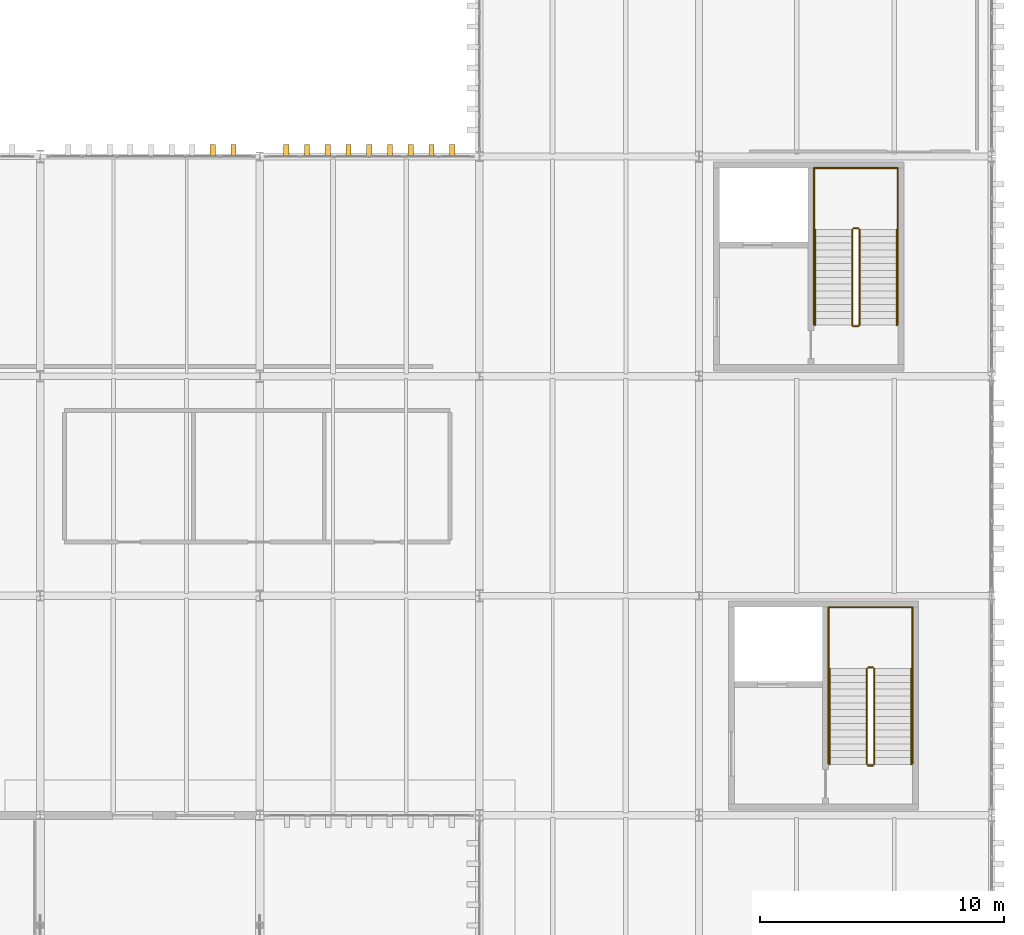
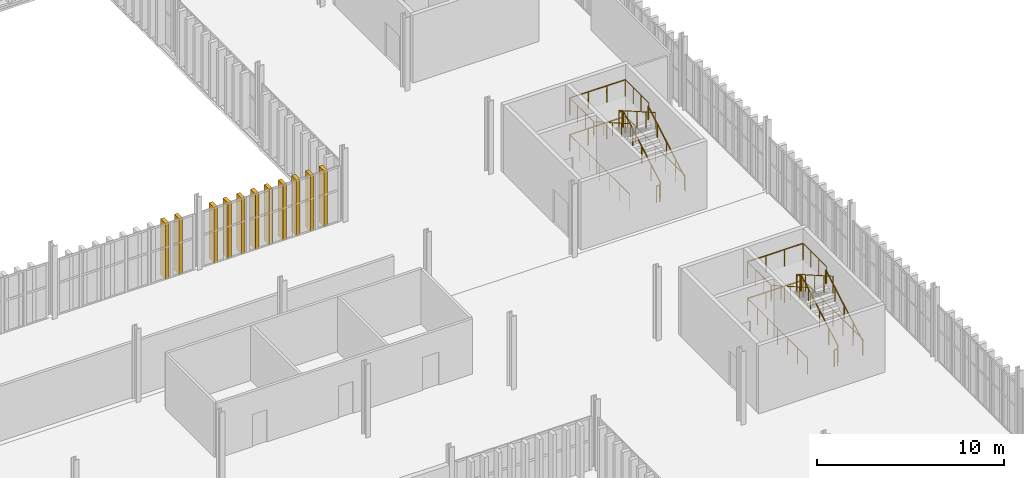
# One storey, part 190 of 196: 24 railings, 11 shading devices.
"""IFC4 building model written with IfcOpenShell, lengths in metres."""

import ifcopenshell
import ifcopenshell.guid

model = None  # the IFC model being written
_history = None  # IfcOwnerHistory: only IFC2X3 demands one
_inside = {}  # id of a spatial element -> (the spatial element, [elements in it])
_under = {}  # id of a project, library or spatial element -> (it, [spatial elements below it])
_declared = {}  # id of a project -> (the project, [libraries it declares])
_typed = {}  # id of a type object -> (the type object, [elements of that type])
_made_of = {}  # id of a material, layer set ... -> (it, [elements and type objects made of it])


def new_model(schema):
    """Start an empty IFC model of exactly this schema.

    Asked for "IFC4X3", IfcOpenShell would pick the latest addendum, in which some entities
    have other attributes; the version numbers below select the first issue.
    IFC2X3 requires an IfcOwnerHistory on every rooted entity: one is made here for all.
    """
    global model, _history
    if schema == "IFC4X3":
        model = ifcopenshell.file(schema_version=(4, 3, 0, 0))
    else:
        model = ifcopenshell.file(schema=schema)
    _inside.clear()
    _under.clear()
    _declared.clear()
    _typed.clear()
    _made_of.clear()
    _history = None
    if model.schema == "IFC2X3":
        org = make("IfcOrganization", Name="unknown")
        user = make(
            "IfcPersonAndOrganization",
            ThePerson=make("IfcPerson", FamilyName="unknown"),
            TheOrganization=org,
        )
        app = make(
            "IfcApplication",
            ApplicationDeveloper=org,
            Version="unknown",
            ApplicationFullName="unknown",
            ApplicationIdentifier="unknown",
        )
        _history = make(
            "IfcOwnerHistory",
            OwningUser=user,
            OwningApplication=app,
            ChangeAction="ADDED",
            CreationDate=0,
        )
    return model


def make(cls, **values):
    """One entity of the class cls with the attributes given. An attribute that is None is left unset."""
    return model.create_entity(
        cls, **{name: value for name, value in values.items() if value is not None}
    )


def rooted(cls, **values):
    """An entity with a GlobalId (a new one), such as an element, a storey or a relation."""
    return make(cls, GlobalId=ifcopenshell.guid.new(), OwnerHistory=_history, **values)


def si_unit(unit_type, name, prefix=None):
    """IfcSIUnit, for example si_unit("LENGTHUNIT", "METRE", prefix="MILLI")."""
    return make("IfcSIUnit", UnitType=unit_type, Prefix=prefix, Name=name)


def assignment(units):
    """IfcUnitAssignment: the units of a project."""
    return None if units is None else make("IfcUnitAssignment", Units=units)


def point(xyz):
    """IfcCartesianPoint."""
    return None if xyz is None else make("IfcCartesianPoint", Coordinates=xyz)


def direction(xyz):
    """IfcDirection."""
    return None if xyz is None else make("IfcDirection", DirectionRatios=xyz)


def frame(location, z_axis=None, x_axis=None):
    """IfcAxis2Placement3D, a coordinate frame: its origin and axes. An axis left out is left unset."""
    return make(
        "IfcAxis2Placement3D",
        Location=point(location),
        Axis=direction(z_axis),
        RefDirection=direction(x_axis),
    )


def frame_2d(location, x_axis=None):
    """IfcAxis2Placement2D, a coordinate frame in the plane: its origin and x axis."""
    return make(
        "IfcAxis2Placement2D", Location=point(location), RefDirection=direction(x_axis)
    )


def origin():
    """The frame at (0, 0, 0) with its axes left unset."""
    return frame((0.0, 0.0, 0.0))


def origin_2d():
    """The frame at (0, 0) in the plane with its x axis left unset."""
    return frame_2d((0.0, 0.0))


def place(relative_to, where):
    """IfcLocalPlacement: puts the frame where relative to a parent placement (None: the world)."""
    return make(
        "IfcLocalPlacement", PlacementRelTo=relative_to, RelativePlacement=where
    )


def context(
    kind, dimensions, precision=None, world=None, true_north=None, identifier=None
):
    """IfcGeometricRepresentationContext, for example the 3D "Model" context."""
    return make(
        "IfcGeometricRepresentationContext",
        ContextIdentifier=identifier,
        ContextType=kind,
        CoordinateSpaceDimension=dimensions,
        Precision=precision,
        WorldCoordinateSystem=world,
        TrueNorth=true_north,
    )


def subcontext(parent, identifier, kind, view, scale=None):
    """IfcGeometricRepresentationSubContext, for example "Body" below "Model"."""
    return make(
        "IfcGeometricRepresentationSubContext",
        ContextIdentifier=identifier,
        ContextType=kind,
        ParentContext=parent,
        TargetScale=scale,
        TargetView=view,
    )


def project(units=None, contexts=None):
    """IfcProject with its units and contexts."""
    return rooted(
        "IfcProject",
        Name="project",
        RepresentationContexts=contexts,
        UnitsInContext=assignment(units),
    )


def spatial(cls, under=None, at=None, **own):
    """A site, building, storey or space (cls), placed at a placement, below another one or the project."""
    s = rooted(cls, ObjectPlacement=at, **own)
    if under is not None:
        _under.setdefault(under.id(), (under, []))[1].append(s)
    return s


def profile(cls, at=None, kind="AREA", **sizes):
    """A parametric profile (cls). Its sizes go by their IFC names, for example OverallWidth=200.0."""
    return make(cls, ProfileType=kind, Position=at, **sizes)


def rectangle(**sizes):
    """IfcRectangleProfileDef."""
    return profile("IfcRectangleProfileDef", **sizes)


def circle(**sizes):
    """IfcCircleProfileDef."""
    return profile("IfcCircleProfileDef", **sizes)


def extrude(swept, where, along, depth):
    """IfcExtrudedAreaSolid: the profile swept, set in the frame where, extruded along a direction by depth."""
    return make(
        "IfcExtrudedAreaSolid",
        SweptArea=swept,
        Position=where,
        ExtrudedDirection=direction(along),
        Depth=depth,
    )


def shape(context_of_items, identifier, shape_type, items):
    """IfcShapeRepresentation: the items that make up one representation, for example the "Body"."""
    return make(
        "IfcShapeRepresentation",
        ContextOfItems=context_of_items,
        RepresentationIdentifier=identifier,
        RepresentationType=shape_type,
        Items=items,
    )


def material(Name=None, Category=None):
    """IfcMaterial."""
    return make("IfcMaterial", Name=Name, Category=Category)


def made_of(thing, what):
    """Note that an element or type object is made of a material, layer set ...; save() writes the relation."""
    if what is not None:
        _made_of.setdefault(what.id(), (what, []))[1].append(thing)
    return thing


def type_object(cls, material=None, **own):
    """A type object (cls), such as IfcWallType, which elements share."""
    return made_of(rooted(cls, **own), material)


def element(
    cls,
    number,
    at=None,
    inside=None,
    cuts=None,
    type_object=None,
    material=None,
    context=None,
    identifier="Body",
    shape_type=None,
    held_by="IfcProductDefinitionShape",
    body=None,
    shapes=None,
    **own,
):
    """One element of the class cls, such as IfcWall. Its Tag is "e" and its number.

    at: its placement. inside: the storey or other place that contains it. cuts: it is an
    opening in that element (IfcRelVoidsElement). A single representation is given by context,
    identifier, shape_type and body (its items); several are given by shapes. held_by: the class
    of the entity that holds the representations. save() writes the other relations.
    """
    e = rooted(cls, Tag="e%d" % number, ObjectPlacement=at, **own)
    if body is not None:
        shapes = [shape(context, identifier, shape_type, body)]
    if shapes is not None:
        e.Representation = make(held_by, Representations=shapes)
    if inside is not None:
        _inside.setdefault(inside.id(), (inside, []))[1].append(e)
    if cuts is not None:
        rooted(
            "IfcRelVoidsElement", RelatingBuildingElement=cuts, RelatedOpeningElement=e
        )
    if type_object is not None:
        _typed.setdefault(type_object.id(), (type_object, []))[1].append(e)
    return made_of(e, material)


def aggregate(whole, parts):
    """IfcRelAggregates: a whole, such as a stair, and the parts it consists of."""
    return rooted("IfcRelAggregates", RelatingObject=whole, RelatedObjects=parts)


def save(model, path):
    """Write the relations noted so far, then the file.

    IfcRelAggregates (storeys below a building ...), IfcRelContainedInSpatialStructure (elements
    in a storey), IfcRelDefinesByType, IfcRelAssociatesMaterial and IfcRelDeclares: one each for
    every whole, place, type object, material and project.
    """
    for whole, parts in _under.values():
        aggregate(whole, parts)
    for where, things in _inside.values():
        rooted(
            "IfcRelContainedInSpatialStructure",
            RelatedElements=things,
            RelatingStructure=where,
        )
    for kind, things in _typed.values():
        rooted("IfcRelDefinesByType", RelatedObjects=things, RelatingType=kind)
    for what, things in _made_of.values():
        rooted("IfcRelAssociatesMaterial", RelatedObjects=things, RelatingMaterial=what)
    for by, libraries in _declared.values():
        rooted("IfcRelDeclares", RelatingContext=by, RelatedDefinitions=libraries)
    model.write(path)


model = new_model("IFC4")

# Units and contexts
model_context = context("Model", 3, precision=1e-05, world=origin(), true_north=direction((0.0, 1.0)))
body_context = subcontext(model_context, "Body", "Model", "MODEL_VIEW")
ifc_project = project(units=[si_unit("LENGTHUNIT", "METRE"), si_unit("AREAUNIT", "SQUARE_METRE"), si_unit("VOLUMEUNIT", "CUBIC_METRE"), si_unit("PLANEANGLEUNIT", "RADIAN"), si_unit("MASSUNIT", "GRAM", prefix="KILO")], contexts=[model_context])

# Site, building, storey
site_placement = place(None, origin())
site = spatial("IfcSite", under=ifc_project, at=site_placement, CompositionType="ELEMENT")
building_placement = place(site_placement, origin())
building = spatial("IfcBuilding", under=site, at=building_placement, Name="Barlavento Convention Centre", CompositionType="ELEMENT")
storey_placement = place(building_placement, frame((0.0, 0.0, 18.0)))
storey = spatial("IfcBuildingStorey", under=building, at=storey_placement, Name="L03", CompositionType="ELEMENT", Elevation=18.0)

# Railings
ifc_material_1 = material(Name="Stainless steel and laminated glass balustrade", Category="steel")
railing_type_1 = type_object("IfcRailingType", Name="ARC-RAL-BAL-1100", PredefinedType="BALUSTRADE", material=ifc_material_1)
railing_1_placement = place(storey_placement, frame((186.580078125, 56.090087890625, 0.159912109375)))
element("IfcRailing", 1, at=railing_1_placement, inside=storey, type_object=railing_type_1, Name="L03 ST05 stair guard 1", PredefinedType="BALUSTRADE", context=body_context, shape_type="SweptSolid", body=[
    extrude(circle(Radius=0.02392578125, at=origin_2d()), frame((0.0, 0.0, 1.076171875), z_axis=(0.0, 0.868239814368, 0.496144761885), x_axis=(-1.0, 0.0, 0.0)), (0.0, 0.0, 1.0), 4.514892578125),
    extrude(circle(Radius=0.02099609375, at=origin_2d()), origin(), (0.0, 0.0, 1.0), 1.052001953125),
    extrude(circle(Radius=0.02099609375, at=origin_2d()), frame((0.0, 0.97998046875, 0.56005859375)), (0.0, 0.0, 1.0), 1.052001953125),
    extrude(circle(Radius=0.02099609375, at=origin_2d()), frame((0.0, 1.9599609375, 1.1201171875)), (0.0, 0.0, 1.0), 1.052001953125),
    extrude(circle(Radius=0.02099609375, at=origin_2d()), frame((0.0, 2.93994140625, 1.679931640625)), (0.0, 0.0, 1.0), 1.052001953125),
    extrude(circle(Radius=0.02099609375, at=origin_2d()), frame((0.0, 3.919921875, 2.239990234375)), (0.0, 0.0, 1.0), 1.052001953125),
])
railing_2_placement = place(storey_placement, frame((186.530029296875, 60.06005859375, 2.39990234375)))
element("IfcRailing", 2, at=railing_2_placement, inside=storey, type_object=railing_type_1, Name="L03 ST05 stair guard 2", PredefinedType="BALUSTRADE", context=body_context, shape_type="SweptSolid", body=[
    extrude(circle(Radius=0.02392578125, at=origin_2d()), frame((0.0, 0.0, 1.076171875), z_axis=(-1.0, 0.0, 0.0), x_axis=(0.0, -1.0, 0.0)), (0.0, 0.0, 1.0), 0.199951171875),
    extrude(circle(Radius=0.02099609375, at=origin_2d()), origin(), (0.0, 0.0, 1.0), 1.052001953125),
    extrude(circle(Radius=0.02099609375, at=origin_2d()), frame((-0.199951171875, 0.0, 0.0)), (0.0, 0.0, 1.0), 1.052001953125),
])
railing_3_placement = place(storey_placement, frame((186.280029296875, 60.010009765625, 2.56005859375)))
element("IfcRailing", 3, at=railing_3_placement, inside=storey, type_object=railing_type_1, Name="L03 ST05 stair guard 3", PredefinedType="BALUSTRADE", context=body_context, shape_type="SweptSolid", body=[
    extrude(circle(Radius=0.02392578125, at=origin_2d()), frame((0.0, 0.0, 1.076171875), z_axis=(0.0, -0.868239814368, 0.496144761885), x_axis=(1.0, 0.0, 0.0)), (0.0, 0.0, 1.0), 4.514892578125),
    extrude(circle(Radius=0.02099609375, at=origin_2d()), origin(), (0.0, 0.0, 1.0), 1.052001953125),
    extrude(circle(Radius=0.02099609375, at=origin_2d()), frame((0.0, -0.97998046875, 0.56005859375)), (0.0, 0.0, 1.0), 1.052001953125),
    extrude(circle(Radius=0.02099609375, at=origin_2d()), frame((0.0, -1.9599609375, 1.1201171875)), (0.0, 0.0, 1.0), 1.052001953125),
    extrude(circle(Radius=0.02099609375, at=origin_2d()), frame((0.0, -2.93994140625, 1.679931640625)), (0.0, 0.0, 1.0), 1.052001953125),
    extrude(circle(Radius=0.02099609375, at=origin_2d()), frame((0.0, -3.919921875, 2.239990234375)), (0.0, 0.0, 1.0), 1.052001953125),
])
railing_4_placement = place(storey_placement, frame((186.530029296875, 56.0400390625, 0.0)))
element("IfcRailing", 4, at=railing_4_placement, inside=storey, type_object=railing_type_1, Name="L03 ST05 stair guard 4", PredefinedType="BALUSTRADE", context=body_context, shape_type="SweptSolid", body=[
    extrude(circle(Radius=0.02392578125, at=origin_2d()), frame((0.0, 0.0, 1.076171875), z_axis=(-1.0, 0.0, 0.0), x_axis=(0.0, -1.0, 0.0)), (0.0, 0.0, 1.0), 0.199951171875),
    extrude(circle(Radius=0.02099609375, at=origin_2d()), origin(), (0.0, 0.0, 1.0), 1.052001953125),
    extrude(circle(Radius=0.02099609375, at=origin_2d()), frame((-0.199951171875, 0.0, 0.0)), (0.0, 0.0, 1.0), 1.052001953125),
])
for number, where, name in (
    (5, (188.14990234375, 60.010009765625, 2.39990234375), "L03 landing guard GR01"),
    (6, (184.7099609375, 60.010009765625, 2.39990234375), "L03 landing guard GR01"),
):
    element("IfcRailing", number, at=place(storey_placement, frame(where)), inside=storey, type_object=railing_type_1, Name=name, PredefinedType="BALUSTRADE", context=body_context, shape_type="SweptSolid", body=[
        extrude(circle(Radius=0.02392578125, at=origin_2d()), frame((0.0, 0.0, 1.076171875), z_axis=(0.0, 1.0, 0.0), x_axis=(-1.0, 0.0, 0.0)), (0.0, 0.0, 1.0), 2.52001953125),
        extrude(circle(Radius=0.02099609375, at=origin_2d()), origin(), (0.0, 0.0, 1.0), 1.052001953125),
        extrude(circle(Radius=0.02099609375, at=origin_2d()), frame((0.0, 0.840087890625, 0.0)), (0.0, 0.0, 1.0), 1.052001953125),
        extrude(circle(Radius=0.02099609375, at=origin_2d()), frame((0.0, 1.679931640625, 0.0)), (0.0, 0.0, 1.0), 1.052001953125),
        extrude(circle(Radius=0.02099609375, at=origin_2d()), frame((0.0, 2.52001953125, 0.0)), (0.0, 0.0, 1.0), 1.052001953125),
    ])
railing_5_placement = place(storey_placement, frame((188.14990234375, 62.530029296875, 2.39990234375)))
element("IfcRailing", 7, at=railing_5_placement, inside=storey, type_object=railing_type_1, Name="L03 landing guard GR01", PredefinedType="BALUSTRADE", context=body_context, shape_type="SweptSolid", body=[
    extrude(circle(Radius=0.02392578125, at=origin_2d()), frame((0.0, 0.0, 1.076171875), z_axis=(-1.0, 0.0, 0.0), x_axis=(0.0, -1.0, 0.0)), (0.0, 0.0, 1.0), 3.43994140625),
    extrude(circle(Radius=0.02099609375, at=origin_2d()), origin(), (0.0, 0.0, 1.0), 1.052001953125),
    extrude(circle(Radius=0.02099609375, at=origin_2d()), frame((-1.146728515625, 0.0, 0.0)), (0.0, 0.0, 1.0), 1.052001953125),
    extrude(circle(Radius=0.02099609375, at=origin_2d()), frame((-2.293212890625, 0.0, 0.0)), (0.0, 0.0, 1.0), 1.052001953125),
    extrude(circle(Radius=0.02099609375, at=origin_2d()), frame((-3.43994140625, 0.0, 0.0)), (0.0, 0.0, 1.0), 1.052001953125),
])
railing_6_placement = place(storey_placement, frame((188.14990234375, 56.114990234375, 0.0)))
element("IfcRailing", 8, at=railing_6_placement, inside=storey, type_object=railing_type_1, Name="L03 stairwell perimeter guard GR01", PredefinedType="BALUSTRADE", context=body_context, shape_type="SweptSolid", body=[
    extrude(circle(Radius=0.02392578125, at=origin_2d()), frame((0.0, 0.0, 1.076171875), z_axis=(0.0, 1.0, 0.0), x_axis=(-1.0, 0.0, 0.0)), (0.0, 0.0, 1.0), 6.4150390625),
    extrude(circle(Radius=0.02099609375, at=origin_2d()), origin(), (0.0, 0.0, 1.0), 1.052001953125),
    extrude(circle(Radius=0.02099609375, at=origin_2d()), frame((0.0, 1.069091796875, 0.0)), (0.0, 0.0, 1.0), 1.052001953125),
    extrude(circle(Radius=0.02099609375, at=origin_2d()), frame((0.0, 2.138427734375, 0.0)), (0.0, 0.0, 1.0), 1.052001953125),
    extrude(circle(Radius=0.02099609375, at=origin_2d()), frame((0.0, 3.20751953125, 0.0)), (0.0, 0.0, 1.0), 1.052001953125),
    extrude(circle(Radius=0.02099609375, at=origin_2d()), frame((0.0, 4.276611328125, 0.0)), (0.0, 0.0, 1.0), 1.052001953125),
    extrude(circle(Radius=0.02099609375, at=origin_2d()), frame((0.0, 5.345947265625, 0.0)), (0.0, 0.0, 1.0), 1.052001953125),
    extrude(circle(Radius=0.02099609375, at=origin_2d()), frame((0.0, 6.4150390625, 0.0)), (0.0, 0.0, 1.0), 1.052001953125),
])
railing_7_placement = place(storey_placement, frame((188.14990234375, 62.530029296875, 0.0)))
element("IfcRailing", 9, at=railing_7_placement, inside=storey, type_object=railing_type_1, Name="L03 stairwell perimeter guard GR01", PredefinedType="BALUSTRADE", context=body_context, shape_type="SweptSolid", body=[
    extrude(circle(Radius=0.02392578125, at=origin_2d()), frame((0.0, 0.0, 1.076171875), z_axis=(-1.0, 0.0, 0.0), x_axis=(0.0, -1.0, 0.0)), (0.0, 0.0, 1.0), 3.43994140625),
    extrude(circle(Radius=0.02099609375, at=origin_2d()), origin(), (0.0, 0.0, 1.0), 1.052001953125),
    extrude(circle(Radius=0.02099609375, at=origin_2d()), frame((-1.146728515625, 0.0, 0.0)), (0.0, 0.0, 1.0), 1.052001953125),
    extrude(circle(Radius=0.02099609375, at=origin_2d()), frame((-2.293212890625, 0.0, 0.0)), (0.0, 0.0, 1.0), 1.052001953125),
    extrude(circle(Radius=0.02099609375, at=origin_2d()), frame((-3.43994140625, 0.0, 0.0)), (0.0, 0.0, 1.0), 1.052001953125),
])
railing_8_placement = place(storey_placement, frame((184.7099609375, 62.530029296875, 0.0)))
element("IfcRailing", 10, at=railing_8_placement, inside=storey, type_object=railing_type_1, Name="L03 stairwell perimeter guard GR01", PredefinedType="BALUSTRADE", context=body_context, shape_type="SweptSolid", body=[
    extrude(circle(Radius=0.02392578125, at=origin_2d()), frame((0.0, 0.0, 1.076171875), z_axis=(0.0, -1.0, 0.0), x_axis=(1.0, 0.0, 0.0)), (0.0, 0.0, 1.0), 6.4150390625),
    extrude(circle(Radius=0.02099609375, at=origin_2d()), origin(), (0.0, 0.0, 1.0), 1.052001953125),
    extrude(circle(Radius=0.02099609375, at=origin_2d()), frame((0.0, -1.069091796875, 0.0)), (0.0, 0.0, 1.0), 1.052001953125),
    extrude(circle(Radius=0.02099609375, at=origin_2d()), frame((0.0, -2.138427734375, 0.0)), (0.0, 0.0, 1.0), 1.052001953125),
    extrude(circle(Radius=0.02099609375, at=origin_2d()), frame((0.0, -3.20751953125, 0.0)), (0.0, 0.0, 1.0), 1.052001953125),
    extrude(circle(Radius=0.02099609375, at=origin_2d()), frame((0.0, -4.276611328125, 0.0)), (0.0, 0.0, 1.0), 1.052001953125),
    extrude(circle(Radius=0.02099609375, at=origin_2d()), frame((0.0, -5.345947265625, 0.0)), (0.0, 0.0, 1.0), 1.052001953125),
    extrude(circle(Radius=0.02099609375, at=origin_2d()), frame((0.0, -6.4150390625, 0.0)), (0.0, 0.0, 1.0), 1.052001953125),
])
railing_9_placement = place(storey_placement, frame((187.179931640625, 38.090087890625, 0.159912109375)))
element("IfcRailing", 11, at=railing_9_placement, inside=storey, type_object=railing_type_1, Name="L03 ST06 stair guard 1", PredefinedType="BALUSTRADE", context=body_context, shape_type="SweptSolid", body=[
    extrude(circle(Radius=0.02392578125, at=origin_2d()), frame((0.0, 0.0, 1.076171875), z_axis=(0.0, 0.868239814368, 0.496144761885), x_axis=(-1.0, 0.0, 0.0)), (0.0, 0.0, 1.0), 4.514892578125),
    extrude(circle(Radius=0.02099609375, at=origin_2d()), origin(), (0.0, 0.0, 1.0), 1.052001953125),
    extrude(circle(Radius=0.02099609375, at=origin_2d()), frame((0.0, 0.97998046875, 0.56005859375)), (0.0, 0.0, 1.0), 1.052001953125),
    extrude(circle(Radius=0.02099609375, at=origin_2d()), frame((0.0, 1.9599609375, 1.1201171875)), (0.0, 0.0, 1.0), 1.052001953125),
    extrude(circle(Radius=0.02099609375, at=origin_2d()), frame((0.0, 2.93994140625, 1.679931640625)), (0.0, 0.0, 1.0), 1.052001953125),
    extrude(circle(Radius=0.02099609375, at=origin_2d()), frame((0.0, 3.919921875, 2.239990234375)), (0.0, 0.0, 1.0), 1.052001953125),
])
railing_10_placement = place(storey_placement, frame((187.1298828125, 42.06005859375, 2.39990234375)))
element("IfcRailing", 12, at=railing_10_placement, inside=storey, type_object=railing_type_1, Name="L03 ST06 stair guard 2", PredefinedType="BALUSTRADE", context=body_context, shape_type="SweptSolid", body=[
    extrude(circle(Radius=0.02392578125, at=origin_2d()), frame((0.0, 0.0, 1.076171875), z_axis=(-1.0, 0.0, 0.0), x_axis=(0.0, -1.0, 0.0)), (0.0, 0.0, 1.0), 0.199951171875),
    extrude(circle(Radius=0.02099609375, at=origin_2d()), origin(), (0.0, 0.0, 1.0), 1.052001953125),
    extrude(circle(Radius=0.02099609375, at=origin_2d()), frame((-0.199951171875, 0.0, 0.0)), (0.0, 0.0, 1.0), 1.052001953125),
])
railing_11_placement = place(storey_placement, frame((186.8798828125, 42.010009765625, 2.56005859375)))
element("IfcRailing", 13, at=railing_11_placement, inside=storey, type_object=railing_type_1, Name="L03 ST06 stair guard 3", PredefinedType="BALUSTRADE", context=body_context, shape_type="SweptSolid", body=[
    extrude(circle(Radius=0.02392578125, at=origin_2d()), frame((0.0, 0.0, 1.076171875), z_axis=(0.0, -0.868239814368, 0.496144761885), x_axis=(1.0, 0.0, 0.0)), (0.0, 0.0, 1.0), 4.514892578125),
    extrude(circle(Radius=0.02099609375, at=origin_2d()), origin(), (0.0, 0.0, 1.0), 1.052001953125),
    extrude(circle(Radius=0.02099609375, at=origin_2d()), frame((0.0, -0.97998046875, 0.56005859375)), (0.0, 0.0, 1.0), 1.052001953125),
    extrude(circle(Radius=0.02099609375, at=origin_2d()), frame((0.0, -1.9599609375, 1.1201171875)), (0.0, 0.0, 1.0), 1.052001953125),
    extrude(circle(Radius=0.02099609375, at=origin_2d()), frame((0.0, -2.93994140625, 1.679931640625)), (0.0, 0.0, 1.0), 1.052001953125),
    extrude(circle(Radius=0.02099609375, at=origin_2d()), frame((0.0, -3.919921875, 2.239990234375)), (0.0, 0.0, 1.0), 1.052001953125),
])
railing_12_placement = place(storey_placement, frame((187.1298828125, 38.0400390625, 0.0)))
element("IfcRailing", 14, at=railing_12_placement, inside=storey, type_object=railing_type_1, Name="L03 ST06 stair guard 4", PredefinedType="BALUSTRADE", context=body_context, shape_type="SweptSolid", body=[
    extrude(circle(Radius=0.02392578125, at=origin_2d()), frame((0.0, 0.0, 1.076171875), z_axis=(-1.0, 0.0, 0.0), x_axis=(0.0, -1.0, 0.0)), (0.0, 0.0, 1.0), 0.199951171875),
    extrude(circle(Radius=0.02099609375, at=origin_2d()), origin(), (0.0, 0.0, 1.0), 1.052001953125),
    extrude(circle(Radius=0.02099609375, at=origin_2d()), frame((-0.199951171875, 0.0, 0.0)), (0.0, 0.0, 1.0), 1.052001953125),
])
for number, where, name in (
    (15, (188.75, 42.010009765625, 2.39990234375), "L03 landing guard GR01"),
    (16, (185.31005859375, 42.010009765625, 2.39990234375), "L03 landing guard GR01"),
):
    element("IfcRailing", number, at=place(storey_placement, frame(where)), inside=storey, type_object=railing_type_1, Name=name, PredefinedType="BALUSTRADE", context=body_context, shape_type="SweptSolid", body=[
        extrude(circle(Radius=0.02392578125, at=origin_2d()), frame((0.0, 0.0, 1.076171875), z_axis=(0.0, 1.0, 0.0), x_axis=(-1.0, 0.0, 0.0)), (0.0, 0.0, 1.0), 2.52001953125),
        extrude(circle(Radius=0.02099609375, at=origin_2d()), origin(), (0.0, 0.0, 1.0), 1.052001953125),
        extrude(circle(Radius=0.02099609375, at=origin_2d()), frame((0.0, 0.840087890625, 0.0)), (0.0, 0.0, 1.0), 1.052001953125),
        extrude(circle(Radius=0.02099609375, at=origin_2d()), frame((0.0, 1.679931640625, 0.0)), (0.0, 0.0, 1.0), 1.052001953125),
        extrude(circle(Radius=0.02099609375, at=origin_2d()), frame((0.0, 2.52001953125, 0.0)), (0.0, 0.0, 1.0), 1.052001953125),
    ])
railing_13_placement = place(storey_placement, frame((188.75, 44.530029296875, 2.39990234375)))
element("IfcRailing", 17, at=railing_13_placement, inside=storey, type_object=railing_type_1, Name="L03 landing guard GR01", PredefinedType="BALUSTRADE", context=body_context, shape_type="SweptSolid", body=[
    extrude(circle(Radius=0.02392578125, at=origin_2d()), frame((0.0, 0.0, 1.076171875), z_axis=(-1.0, 0.0, 0.0), x_axis=(0.0, -1.0, 0.0)), (0.0, 0.0, 1.0), 3.43994140625),
    extrude(circle(Radius=0.02099609375, at=origin_2d()), origin(), (0.0, 0.0, 1.0), 1.052001953125),
    extrude(circle(Radius=0.02099609375, at=origin_2d()), frame((-1.146728515625, 0.0, 0.0)), (0.0, 0.0, 1.0), 1.052001953125),
    extrude(circle(Radius=0.02099609375, at=origin_2d()), frame((-2.293212890625, 0.0, 0.0)), (0.0, 0.0, 1.0), 1.052001953125),
    extrude(circle(Radius=0.02099609375, at=origin_2d()), frame((-3.43994140625, 0.0, 0.0)), (0.0, 0.0, 1.0), 1.052001953125),
])
railing_14_placement = place(storey_placement, frame((188.75, 38.114990234375, 0.0)))
element("IfcRailing", 18, at=railing_14_placement, inside=storey, type_object=railing_type_1, Name="L03 stairwell perimeter guard GR01", PredefinedType="BALUSTRADE", context=body_context, shape_type="SweptSolid", body=[
    extrude(circle(Radius=0.02392578125, at=origin_2d()), frame((0.0, 0.0, 1.076171875), z_axis=(0.0, 1.0, 0.0), x_axis=(-1.0, 0.0, 0.0)), (0.0, 0.0, 1.0), 6.4150390625),
    extrude(circle(Radius=0.02099609375, at=origin_2d()), origin(), (0.0, 0.0, 1.0), 1.052001953125),
    extrude(circle(Radius=0.02099609375, at=origin_2d()), frame((0.0, 1.069091796875, 0.0)), (0.0, 0.0, 1.0), 1.052001953125),
    extrude(circle(Radius=0.02099609375, at=origin_2d()), frame((0.0, 2.138427734375, 0.0)), (0.0, 0.0, 1.0), 1.052001953125),
    extrude(circle(Radius=0.02099609375, at=origin_2d()), frame((0.0, 3.20751953125, 0.0)), (0.0, 0.0, 1.0), 1.052001953125),
    extrude(circle(Radius=0.02099609375, at=origin_2d()), frame((0.0, 4.276611328125, 0.0)), (0.0, 0.0, 1.0), 1.052001953125),
    extrude(circle(Radius=0.02099609375, at=origin_2d()), frame((0.0, 5.345947265625, 0.0)), (0.0, 0.0, 1.0), 1.052001953125),
    extrude(circle(Radius=0.02099609375, at=origin_2d()), frame((0.0, 6.4150390625, 0.0)), (0.0, 0.0, 1.0), 1.052001953125),
])
railing_15_placement = place(storey_placement, frame((188.75, 44.530029296875, 0.0)))
element("IfcRailing", 19, at=railing_15_placement, inside=storey, type_object=railing_type_1, Name="L03 stairwell perimeter guard GR01", PredefinedType="BALUSTRADE", context=body_context, shape_type="SweptSolid", body=[
    extrude(circle(Radius=0.02392578125, at=origin_2d()), frame((0.0, 0.0, 1.076171875), z_axis=(-1.0, 0.0, 0.0), x_axis=(0.0, -1.0, 0.0)), (0.0, 0.0, 1.0), 3.43994140625),
    extrude(circle(Radius=0.02099609375, at=origin_2d()), origin(), (0.0, 0.0, 1.0), 1.052001953125),
    extrude(circle(Radius=0.02099609375, at=origin_2d()), frame((-1.146728515625, 0.0, 0.0)), (0.0, 0.0, 1.0), 1.052001953125),
    extrude(circle(Radius=0.02099609375, at=origin_2d()), frame((-2.293212890625, 0.0, 0.0)), (0.0, 0.0, 1.0), 1.052001953125),
    extrude(circle(Radius=0.02099609375, at=origin_2d()), frame((-3.43994140625, 0.0, 0.0)), (0.0, 0.0, 1.0), 1.052001953125),
])
railing_16_placement = place(storey_placement, frame((185.31005859375, 44.530029296875, 0.0)))
element("IfcRailing", 20, at=railing_16_placement, inside=storey, type_object=railing_type_1, Name="L03 stairwell perimeter guard GR01", PredefinedType="BALUSTRADE", context=body_context, shape_type="SweptSolid", body=[
    extrude(circle(Radius=0.02392578125, at=origin_2d()), frame((0.0, 0.0, 1.076171875), z_axis=(0.0, -1.0, 0.0), x_axis=(1.0, 0.0, 0.0)), (0.0, 0.0, 1.0), 6.4150390625),
    extrude(circle(Radius=0.02099609375, at=origin_2d()), origin(), (0.0, 0.0, 1.0), 1.052001953125),
    extrude(circle(Radius=0.02099609375, at=origin_2d()), frame((0.0, -1.069091796875, 0.0)), (0.0, 0.0, 1.0), 1.052001953125),
    extrude(circle(Radius=0.02099609375, at=origin_2d()), frame((0.0, -2.138427734375, 0.0)), (0.0, 0.0, 1.0), 1.052001953125),
    extrude(circle(Radius=0.02099609375, at=origin_2d()), frame((0.0, -3.20751953125, 0.0)), (0.0, 0.0, 1.0), 1.052001953125),
    extrude(circle(Radius=0.02099609375, at=origin_2d()), frame((0.0, -4.276611328125, 0.0)), (0.0, 0.0, 1.0), 1.052001953125),
    extrude(circle(Radius=0.02099609375, at=origin_2d()), frame((0.0, -5.345947265625, 0.0)), (0.0, 0.0, 1.0), 1.052001953125),
    extrude(circle(Radius=0.02099609375, at=origin_2d()), frame((0.0, -6.4150390625, 0.0)), (0.0, 0.0, 1.0), 1.052001953125),
])
ifc_material_2 = material(Name="Brushed stainless steel tubular handrail", Category="steel")
railing_type_2 = type_object("IfcRailingType", Name="ARC-RAL-HR-900", PredefinedType="HANDRAIL", material=ifc_material_2)
railing_17_placement = place(storey_placement, frame((188.10009765625, 56.090087890625, 0.159912109375)))
element("IfcRailing", 21, at=railing_17_placement, inside=storey, type_object=railing_type_2, Name="L03 ST05 stair handrail 1", PredefinedType="HANDRAIL", context=body_context, shape_type="SweptSolid", body=[
    extrude(circle(Radius=0.02392578125, at=origin_2d()), frame((0.0, 0.0, 0.8759765625), z_axis=(0.0, 0.868239814368, 0.496144761885), x_axis=(-1.0, 0.0, 0.0)), (0.0, 0.0, 1.0), 4.514892578125),
    extrude(circle(Radius=0.02099609375, at=origin_2d()), origin(), (0.0, 0.0, 1.0), 0.851806640625),
    extrude(circle(Radius=0.02099609375, at=origin_2d()), frame((0.0, 0.97998046875, 0.56005859375)), (0.0, 0.0, 1.0), 0.851806640625),
    extrude(circle(Radius=0.02099609375, at=origin_2d()), frame((0.0, 1.9599609375, 1.1201171875)), (0.0, 0.0, 1.0), 0.851806640625),
    extrude(circle(Radius=0.02099609375, at=origin_2d()), frame((0.0, 2.93994140625, 1.679931640625)), (0.0, 0.0, 1.0), 0.851806640625),
    extrude(circle(Radius=0.02099609375, at=origin_2d()), frame((0.0, 3.919921875, 2.239990234375)), (0.0, 0.0, 1.0), 0.851806640625),
])
railing_18_placement = place(storey_placement, frame((184.760009765625, 60.010009765625, 2.56005859375)))
element("IfcRailing", 22, at=railing_18_placement, inside=storey, type_object=railing_type_2, Name="L03 ST05 stair handrail 2", PredefinedType="HANDRAIL", context=body_context, shape_type="SweptSolid", body=[
    extrude(circle(Radius=0.02392578125, at=origin_2d()), frame((0.0, 0.0, 0.8759765625), z_axis=(0.0, -0.868239814368, 0.496144761885), x_axis=(1.0, 0.0, 0.0)), (0.0, 0.0, 1.0), 4.514892578125),
    extrude(circle(Radius=0.02099609375, at=origin_2d()), origin(), (0.0, 0.0, 1.0), 0.851806640625),
    extrude(circle(Radius=0.02099609375, at=origin_2d()), frame((0.0, -0.97998046875, 0.56005859375)), (0.0, 0.0, 1.0), 0.851806640625),
    extrude(circle(Radius=0.02099609375, at=origin_2d()), frame((0.0, -1.9599609375, 1.1201171875)), (0.0, 0.0, 1.0), 0.851806640625),
    extrude(circle(Radius=0.02099609375, at=origin_2d()), frame((0.0, -2.93994140625, 1.679931640625)), (0.0, 0.0, 1.0), 0.851806640625),
    extrude(circle(Radius=0.02099609375, at=origin_2d()), frame((0.0, -3.919921875, 2.239990234375)), (0.0, 0.0, 1.0), 0.851806640625),
])
railing_19_placement = place(storey_placement, frame((188.699951171875, 38.090087890625, 0.159912109375)))
element("IfcRailing", 23, at=railing_19_placement, inside=storey, type_object=railing_type_2, Name="L03 ST06 stair handrail 1", PredefinedType="HANDRAIL", context=body_context, shape_type="SweptSolid", body=[
    extrude(circle(Radius=0.02392578125, at=origin_2d()), frame((0.0, 0.0, 0.8759765625), z_axis=(0.0, 0.868239814368, 0.496144761885), x_axis=(-1.0, 0.0, 0.0)), (0.0, 0.0, 1.0), 4.514892578125),
    extrude(circle(Radius=0.02099609375, at=origin_2d()), origin(), (0.0, 0.0, 1.0), 0.851806640625),
    extrude(circle(Radius=0.02099609375, at=origin_2d()), frame((0.0, 0.97998046875, 0.56005859375)), (0.0, 0.0, 1.0), 0.851806640625),
    extrude(circle(Radius=0.02099609375, at=origin_2d()), frame((0.0, 1.9599609375, 1.1201171875)), (0.0, 0.0, 1.0), 0.851806640625),
    extrude(circle(Radius=0.02099609375, at=origin_2d()), frame((0.0, 2.93994140625, 1.679931640625)), (0.0, 0.0, 1.0), 0.851806640625),
    extrude(circle(Radius=0.02099609375, at=origin_2d()), frame((0.0, 3.919921875, 2.239990234375)), (0.0, 0.0, 1.0), 0.851806640625),
])
railing_20_placement = place(storey_placement, frame((185.360107421875, 42.010009765625, 2.56005859375)))
element("IfcRailing", 24, at=railing_20_placement, inside=storey, type_object=railing_type_2, Name="L03 ST06 stair handrail 2", PredefinedType="HANDRAIL", context=body_context, shape_type="SweptSolid", body=[
    extrude(circle(Radius=0.02392578125, at=origin_2d()), frame((0.0, 0.0, 0.8759765625), z_axis=(0.0, -0.868239814368, 0.496144761885), x_axis=(1.0, 0.0, 0.0)), (0.0, 0.0, 1.0), 4.514892578125),
    extrude(circle(Radius=0.02099609375, at=origin_2d()), origin(), (0.0, 0.0, 1.0), 0.851806640625),
    extrude(circle(Radius=0.02099609375, at=origin_2d()), frame((0.0, -0.97998046875, 0.56005859375)), (0.0, 0.0, 1.0), 0.851806640625),
    extrude(circle(Radius=0.02099609375, at=origin_2d()), frame((0.0, -1.9599609375, 1.1201171875)), (0.0, 0.0, 1.0), 0.851806640625),
    extrude(circle(Radius=0.02099609375, at=origin_2d()), frame((0.0, -2.93994140625, 1.679931640625)), (0.0, 0.0, 1.0), 0.851806640625),
    extrude(circle(Radius=0.02099609375, at=origin_2d()), frame((0.0, -3.919921875, 2.239990234375)), (0.0, 0.0, 1.0), 0.851806640625),
])

# Shading devices
ifc_material_3 = material(Name="PVDF white extruded aluminium", Category="aluminium")
shading_device_type = type_object("IfcShadingDeviceType", Name="ARC-SHD-FIN-480", PredefinedType="USERDEFINED", material=ifc_material_3)
for number, where, z_axis, x_axis, name in (
    (25, (160.077880859375, 63.239990234375, 0.0), (0.0, 0.0, 1.0), (1.0, 0.0, 0.0), "White vertical solar shading fin VF01"),
    (26, (160.924072265625, 63.239990234375, 0.0), (0.0, 0.0, 1.0), (1.0, 0.0, 0.0), "White vertical solar shading fin VF01"),
    (27, (163.0810546875, 63.239990234375, 0.0), (0.0, 0.0, 1.0), (1.0, 0.0, 0.0), "White vertical solar shading fin VF01"),
    (28, (163.931884765625, 63.239990234375, 0.0), (0.0, 0.0, 1.0), (1.0, 0.0, 0.0), "White vertical solar shading fin VF01"),
    (29, (164.782958984375, 63.239990234375, 0.0), (0.0, 0.0, 1.0), (1.0, 0.0, 0.0), "White vertical solar shading fin VF01"),
    (30, (165.634033203125, 63.239990234375, 0.0), (0.0, 0.0, 1.0), (1.0, 0.0, 0.0), "White vertical solar shading fin VF01"),
    (31, (166.485107421875, 63.239990234375, 0.0), (0.0, 0.0, 1.0), (1.0, 0.0, 0.0), "White vertical solar shading fin VF01"),
    (32, (167.3359375, 63.239990234375, 0.0), (0.0, 0.0, 1.0), (1.0, 0.0, 0.0), "White vertical solar shading fin VF01"),
    (33, (168.18701171875, 63.239990234375, 0.0), (0.0, 0.0, 1.0), (1.0, 0.0, 0.0), "White vertical solar shading fin VF01"),
    (34, (169.0380859375, 63.239990234375, 0.0), (0.0, 0.0, 1.0), (1.0, 0.0, 0.0), "White vertical solar shading fin VF01"),
    (35, (169.888916015625, 63.239990234375, 0.0), (0.0, 0.0, 1.0), (1.0, 0.0, 0.0), "White vertical solar shading fin VF01"),
):
    element("IfcShadingDevice", number, at=place(storey_placement, frame(where, z_axis=z_axis, x_axis=x_axis)), inside=storey, type_object=shading_device_type, Name=name, ObjectType="FIN", PredefinedType="USERDEFINED", context=body_context, shape_type="SweptSolid", body=[
        extrude(rectangle(XDim=0.219970703125, YDim=0.52001953125, at=origin_2d()), origin(), (0.0, 0.0, 1.0), 3.64990234375),
    ])

save(model, "model.ifc")
